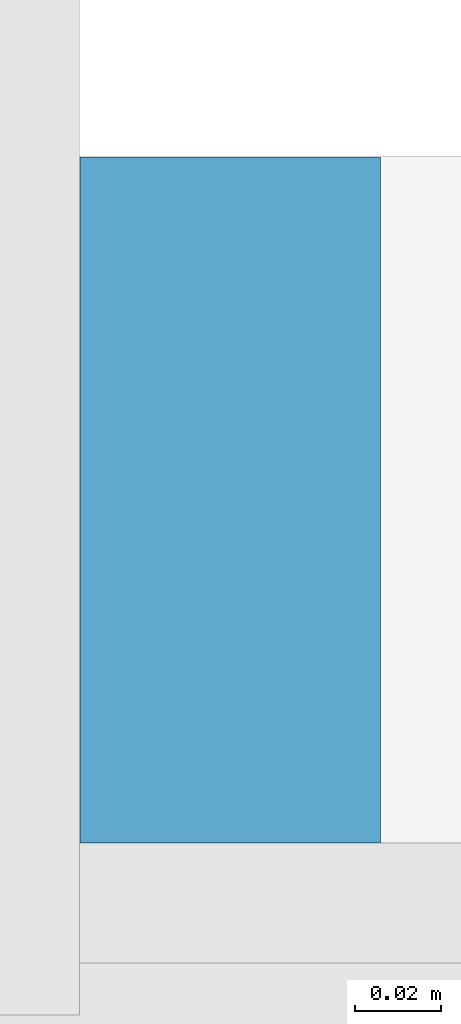
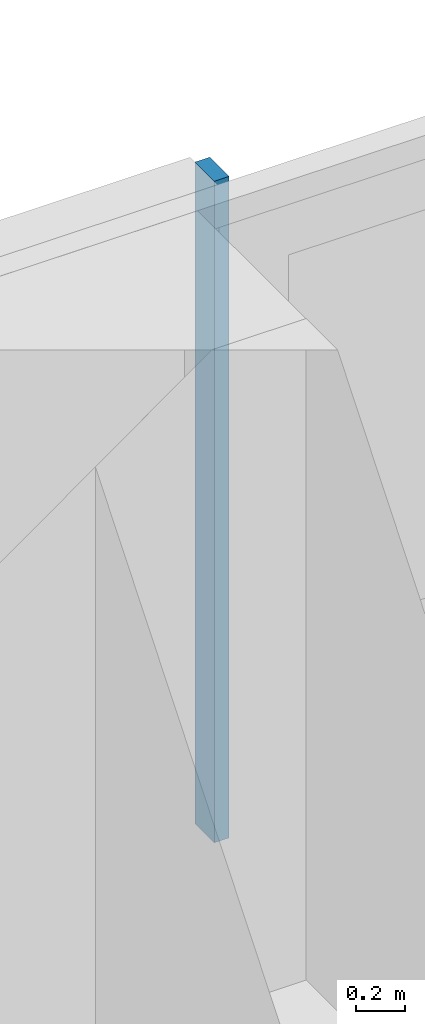
# One storey, part 9 of 27: 1 member, 1 element without a shape of its own.
"""IFC4 building model written with IfcOpenShell, lengths in metres."""

from ifc_helpers import new_model, si_unit, direction, frame, origin, origin_2d, place, context, subcontext, project, spatial, rectangle, extrude, material, material_profile, profile_set, type_object, element, aggregate, save


model = new_model("IFC4")

# Units and contexts
model_context = context("Model", 3, precision=1e-05, world=origin(), true_north=direction((0.0, 1.0)))
body_context = subcontext(model_context, "Body", "Model", "MODEL_VIEW")
ifc_project = project(units=[si_unit("LENGTHUNIT", "METRE"), si_unit("AREAUNIT", "SQUARE_METRE"), si_unit("VOLUMEUNIT", "CUBIC_METRE"), si_unit("PLANEANGLEUNIT", "RADIAN"), si_unit("MASSUNIT", "GRAM", prefix="KILO")], contexts=[model_context])

# Site, building, storey
site_placement = place(None, origin())
site = spatial("IfcSite", under=ifc_project, at=site_placement, CompositionType="ELEMENT")
building_placement = place(site_placement, origin())
building = spatial("IfcBuilding", under=site, at=building_placement, Name="Saffron Gate Tower", CompositionType="ELEMENT")
storey_placement = place(building_placement, frame((0.0, 0.0, 134.85009765625)))
storey = spatial("IfcBuildingStorey", under=building, at=storey_placement, Name="L32", CompositionType="ELEMENT", Elevation=134.85009765625)

# Curtain wall, member
ifc_material = material(Name="Aluminium, bronze anodised", Category="aluminium")
curtain_wall_type = type_object("IfcCurtainWallType", Name="CWS3 curtain wall rear facade", PredefinedType="NOTDEFINED", material=ifc_material)
curtain_wall_placement = place(storey_placement, origin())
curtain_wall = element("IfcCurtainWall", 1, at=curtain_wall_placement, inside=storey, type_object=curtain_wall_type, Name="CWS3 run 7", PredefinedType="NOTDEFINED")
ifc_material_profile = material_profile(ifc_material, rectangle(XDim=0.159912109375, YDim=0.070068359375, at=origin_2d()))
ifc_profile_set = profile_set([ifc_material_profile], Name="Aluminium, bronze anodised")
member_type = type_object("IfcMemberType", Name="CWS3 mullion 70x160", PredefinedType="MULLION", material=ifc_profile_set)
member_placement = place(storey_placement, frame((108.60009765625, 75.52001953125, 0.0), z_axis=(0.0, 0.0, 1.0), x_axis=(0.0, -1.0, 0.0)))
member = element("IfcMember", 2, at=member_placement, type_object=member_type, Name="CWS3 mullion 3", PredefinedType="MULLION", context=body_context, shape_type="SweptSolid", body=[
    extrude(rectangle(XDim=0.159912109375, YDim=0.070068359375, at=origin_2d()), origin(), (0.0, 0.0, 1.0), 3.31982421875),
])
aggregate(curtain_wall, [member])

save(model, "model.ifc")
